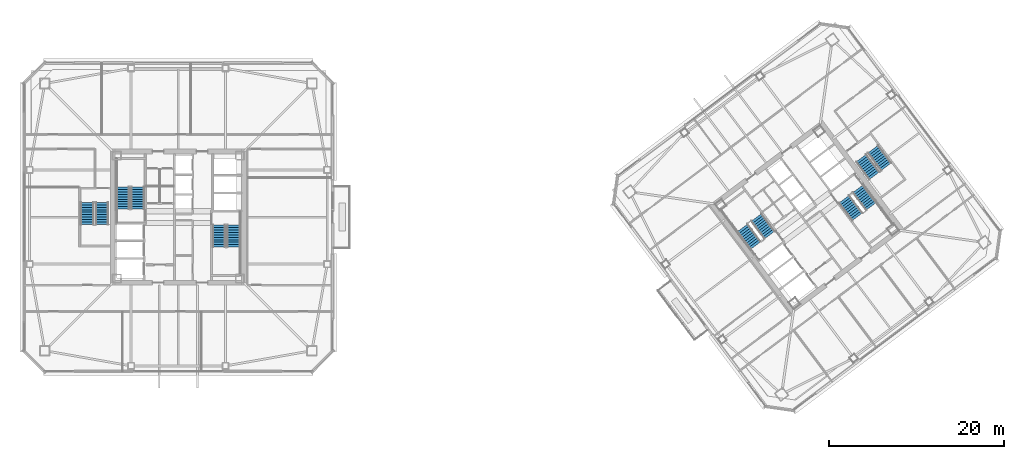
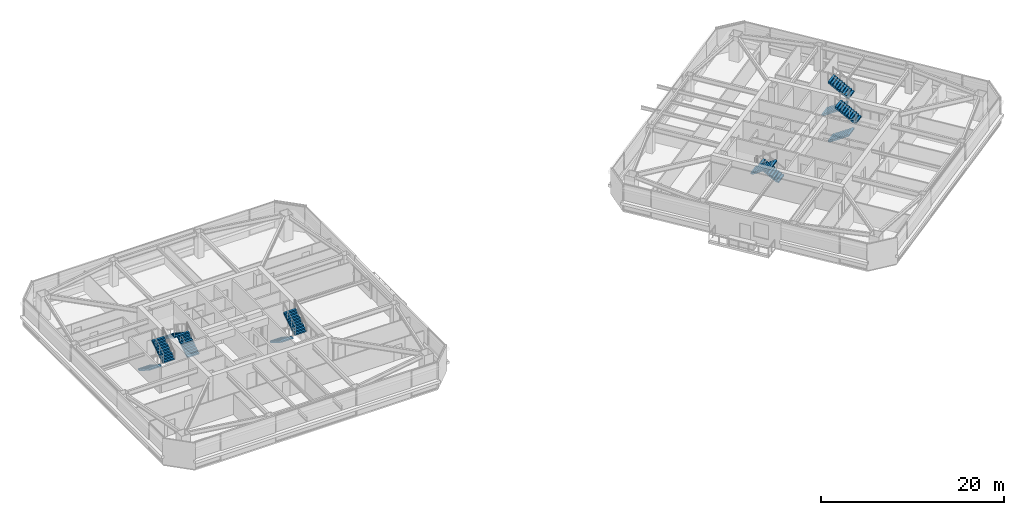
# One storey, part 35 of 41: 12 stair flights, 6 elements without a shape of their own.
"""IFC4 building model written with IfcOpenShell, lengths in metres."""

from ifc_helpers import new_model, si_unit, direction, frame, origin, place, context, subcontext, project, spatial, polyline, outline, extrude, material, type_object, element, aggregate, save


model = new_model("IFC4")

# Units and contexts
model_context = context("Model", 3, precision=1e-05, world=origin(), true_north=direction((0.0, 1.0)))
body_context = subcontext(model_context, "Body", "Model", "MODEL_VIEW")
ifc_project = project(units=[si_unit("LENGTHUNIT", "METRE"), si_unit("AREAUNIT", "SQUARE_METRE"), si_unit("VOLUMEUNIT", "CUBIC_METRE"), si_unit("PLANEANGLEUNIT", "RADIAN"), si_unit("MASSUNIT", "GRAM", prefix="KILO")], contexts=[model_context])

# Site, building, storey
site_placement = place(None, origin())
site = spatial("IfcSite", under=ifc_project, at=site_placement, CompositionType="ELEMENT")
building_placement = place(site_placement, origin())
building = spatial("IfcBuilding", under=site, at=building_placement, Name="Tashvorn Skyway Center", CompositionType="ELEMENT")
storey_placement = place(building_placement, frame((0.0, 0.0, 174.75)))
storey = spatial("IfcBuildingStorey", under=building, at=storey_placement, Name="L47", CompositionType="ELEMENT", Elevation=174.75)

# Stair, stair flights
ifc_material = material(Name="Concrete C40/50", Category="concrete")
stair_type = type_object("IfcStairType", Name="STAIR-CORE-1500", PredefinedType="HALF_TURN_STAIR", material=ifc_material)
stair_1_placement = place(storey_placement, origin())
stair_1 = element("IfcStair", 1, at=stair_1_placement, inside=storey, type_object=stair_type, Name="L47 Tower 1 Exit Stair 1", PredefinedType="HALF_TURN_STAIR")
stair_flight_type = type_object("IfcStairFlightType", Name="SFLIGHT-1500", PredefinedType="STRAIGHT", material=ifc_material)
stair_flight_1_placement = place(storey_placement, frame((37.35009765625, 32.919921875, 0.0), z_axis=(0.0, 0.0, 1.0), x_axis=(0.0, 1.0, 0.0)))
stair_flight_1 = element("IfcStairFlight", 2, at=stair_flight_1_placement, type_object=stair_flight_type, Name="ST-T1-1 flight 1", NumberOfRisers=10, NumberOfTreads=9, PredefinedType="STRAIGHT", RiserHeight=0.1775, TreadLength=0.28, context=body_context, shape_type="SweptSolid", body=[
    extrude(outline(polyline([(0.0, 0.0), (0.0, 0.177490234375), (0.280029296875, 0.177490234375), (0.280029296875, 0.35498046875), (0.56005859375, 0.35498046875), (0.56005859375, 0.532470703125), (0.840087890625, 0.532470703125), (0.840087890625, 0.7099609375), (1.1201171875, 0.7099609375), (1.1201171875, 0.887451171875), (1.39990234375, 0.887451171875), (1.39990234375, 1.06494140625), (1.679931640625, 1.06494140625), (1.679931640625, 1.242431640625), (1.9599609375, 1.242431640625), (1.9599609375, 1.419921875), (2.239990234375, 1.419921875), (2.239990234375, 1.597412109375), (2.52001953125, 1.597412109375), (2.52001953125, 1.77490234375), (2.52001953125, 1.419921875), (0.280029296875, 0.0), (0.0, 0.0)])), frame((0.0, 0.75, 0.0), z_axis=(0.0, -1.0, 0.0), x_axis=(1.0, 0.0, 0.0)), (0.0, 0.0, 1.0), 1.5),
])
stair_flight_2_placement = place(storey_placement, frame((35.64990234375, 35.43994140625, 1.77490234375), z_axis=(0.0, 0.0, 1.0), x_axis=(0.0, -1.0, 0.0)))
stair_flight_2 = element("IfcStairFlight", 3, at=stair_flight_2_placement, type_object=stair_flight_type, Name="ST-T1-1 flight 2", NumberOfRisers=10, NumberOfTreads=9, PredefinedType="STRAIGHT", RiserHeight=0.1775, TreadLength=0.28, context=body_context, shape_type="SweptSolid", body=[
    extrude(outline(polyline([(0.0, 0.0), (0.0, 0.177490234375), (0.280029296875, 0.177490234375), (0.280029296875, 0.35498046875), (0.56005859375, 0.35498046875), (0.56005859375, 0.532470703125), (0.840087890625, 0.532470703125), (0.840087890625, 0.7099609375), (1.1201171875, 0.7099609375), (1.1201171875, 0.887451171875), (1.39990234375, 0.887451171875), (1.39990234375, 1.06494140625), (1.679931640625, 1.06494140625), (1.679931640625, 1.242431640625), (1.9599609375, 1.242431640625), (1.9599609375, 1.419921875), (2.239990234375, 1.419921875), (2.239990234375, 1.597412109375), (2.52001953125, 1.597412109375), (2.52001953125, 1.77490234375), (2.52001953125, 1.419921875), (0.280029296875, 0.0), (0.0, 0.0)])), frame((0.0, 0.75, 0.0), z_axis=(0.0, -1.0, 0.0), x_axis=(1.0, 0.0, 0.0)), (0.0, 0.0, 1.0), 1.5),
])
aggregate(stair_1, [stair_flight_1, stair_flight_2])

stair_2_placement = place(storey_placement, origin())
stair_2 = element("IfcStair", 4, at=stair_2_placement, inside=storey, type_object=stair_type, Name="L47 Tower 1 Exit Stair 2", PredefinedType="HALF_TURN_STAIR")
stair_flight_3_placement = place(storey_placement, frame((46.64990234375, 31.080078125, 0.0), z_axis=(0.0, 0.0, 1.0), x_axis=(0.0, -1.0, 0.0)))
stair_flight_3 = element("IfcStairFlight", 5, at=stair_flight_3_placement, type_object=stair_flight_type, Name="ST-T1-2 flight 1", NumberOfRisers=10, NumberOfTreads=9, PredefinedType="STRAIGHT", RiserHeight=0.1775, TreadLength=0.28, context=body_context, shape_type="SweptSolid", body=[
    extrude(outline(polyline([(0.0, 0.0), (0.0, 0.177490234375), (0.280029296875, 0.177490234375), (0.280029296875, 0.35498046875), (0.56005859375, 0.35498046875), (0.56005859375, 0.532470703125), (0.840087890625, 0.532470703125), (0.840087890625, 0.7099609375), (1.1201171875, 0.7099609375), (1.1201171875, 0.887451171875), (1.39990234375, 0.887451171875), (1.39990234375, 1.06494140625), (1.679931640625, 1.06494140625), (1.679931640625, 1.242431640625), (1.9599609375, 1.242431640625), (1.9599609375, 1.419921875), (2.239990234375, 1.419921875), (2.239990234375, 1.597412109375), (2.52001953125, 1.597412109375), (2.52001953125, 1.77490234375), (2.52001953125, 1.419921875), (0.280029296875, 0.0), (0.0, 0.0)])), frame((0.0, 0.75, 0.0), z_axis=(0.0, -1.0, 0.0), x_axis=(1.0, 0.0, 0.0)), (0.0, 0.0, 1.0), 1.5),
])
stair_flight_4_placement = place(storey_placement, frame((48.35009765625, 28.56005859375, 1.77490234375), z_axis=(0.0, 0.0, 1.0), x_axis=(0.0, 1.0, 0.0)))
stair_flight_4 = element("IfcStairFlight", 6, at=stair_flight_4_placement, type_object=stair_flight_type, Name="ST-T1-2 flight 2", NumberOfRisers=10, NumberOfTreads=9, PredefinedType="STRAIGHT", RiserHeight=0.1775, TreadLength=0.28, context=body_context, shape_type="SweptSolid", body=[
    extrude(outline(polyline([(0.0, 0.0), (0.0, 0.177490234375), (0.280029296875, 0.177490234375), (0.280029296875, 0.35498046875), (0.56005859375, 0.35498046875), (0.56005859375, 0.532470703125), (0.840087890625, 0.532470703125), (0.840087890625, 0.7099609375), (1.1201171875, 0.7099609375), (1.1201171875, 0.887451171875), (1.39990234375, 0.887451171875), (1.39990234375, 1.06494140625), (1.679931640625, 1.06494140625), (1.679931640625, 1.242431640625), (1.9599609375, 1.242431640625), (1.9599609375, 1.419921875), (2.239990234375, 1.419921875), (2.239990234375, 1.597412109375), (2.52001953125, 1.597412109375), (2.52001953125, 1.77490234375), (2.52001953125, 1.419921875), (0.280029296875, 0.0), (0.0, 0.0)])), frame((0.0, 0.75, 0.0), z_axis=(0.0, -1.0, 0.0), x_axis=(1.0, 0.0, 0.0)), (0.0, 0.0, 1.0), 1.5),
])
aggregate(stair_2, [stair_flight_3, stair_flight_4])

stair_3_placement = place(storey_placement, origin())
stair_3 = element("IfcStair", 7, at=stair_3_placement, inside=storey, type_object=stair_type, Name="L47 Tower 2 Exit Stair 1", PredefinedType="HALF_TURN_STAIR")
stair_flight_5_placement = place(storey_placement, frame((109.72802734375, 29.946044921875, 0.0), z_axis=(0.0, 0.0, 1.0), x_axis=(-0.600000004945, 0.799999996291, 0.0)))
stair_flight_5 = element("IfcStairFlight", 8, at=stair_flight_5_placement, type_object=stair_flight_type, Name="ST-T2-1 flight 1", NumberOfRisers=10, NumberOfTreads=9, PredefinedType="STRAIGHT", RiserHeight=0.1775, TreadLength=0.28, context=body_context, shape_type="SweptSolid", body=[
    extrude(outline(polyline([(0.0, 0.0), (0.0, 0.177490234375), (0.280029296875, 0.177490234375), (0.280029296875, 0.35498046875), (0.56005859375, 0.35498046875), (0.56005859375, 0.532470703125), (0.840087890625, 0.532470703125), (0.840087890625, 0.7099609375), (1.1201171875, 0.7099609375), (1.1201171875, 0.887451171875), (1.39990234375, 0.887451171875), (1.39990234375, 1.06494140625), (1.679931640625, 1.06494140625), (1.679931640625, 1.242431640625), (1.9599609375, 1.242431640625), (1.9599609375, 1.419921875), (2.239990234375, 1.419921875), (2.239990234375, 1.597412109375), (2.52001953125, 1.597412109375), (2.52001953125, 1.77490234375), (2.52001953125, 1.419921875), (0.280029296875, 0.0), (0.0, 0.0)])), frame((0.0, 0.75, 0.0), z_axis=(0.0, -1.0, 0.0), x_axis=(1.0, 0.0, 0.0)), (0.0, 0.0, 1.0), 1.5),
])
stair_flight_6_placement = place(storey_placement, frame((106.632080078125, 30.77392578125, 1.77490234375), z_axis=(0.0, 0.0, 1.0), x_axis=(0.600000004945, -0.799999996291, 0.0)))
stair_flight_6 = element("IfcStairFlight", 9, at=stair_flight_6_placement, type_object=stair_flight_type, Name="ST-T2-1 flight 2", NumberOfRisers=10, NumberOfTreads=9, PredefinedType="STRAIGHT", RiserHeight=0.1775, TreadLength=0.28, context=body_context, shape_type="SweptSolid", body=[
    extrude(outline(polyline([(0.0, 0.0), (0.0, 0.177490234375), (0.280029296875, 0.177490234375), (0.280029296875, 0.35498046875), (0.56005859375, 0.35498046875), (0.56005859375, 0.532470703125), (0.840087890625, 0.532470703125), (0.840087890625, 0.7099609375), (1.1201171875, 0.7099609375), (1.1201171875, 0.887451171875), (1.39990234375, 0.887451171875), (1.39990234375, 1.06494140625), (1.679931640625, 1.06494140625), (1.679931640625, 1.242431640625), (1.9599609375, 1.242431640625), (1.9599609375, 1.419921875), (2.239990234375, 1.419921875), (2.239990234375, 1.597412109375), (2.52001953125, 1.597412109375), (2.52001953125, 1.77490234375), (2.52001953125, 1.419921875), (0.280029296875, 0.0), (0.0, 0.0)])), frame((0.0, 0.75, 0.0), z_axis=(0.0, -1.0, 0.0), x_axis=(1.0, 0.0, 0.0)), (0.0, 0.0, 1.0), 1.5),
])
aggregate(stair_3, [stair_flight_5, stair_flight_6])

stair_4_placement = place(storey_placement, origin())
stair_4 = element("IfcStair", 10, at=stair_4_placement, inside=storey, type_object=stair_type, Name="L47 Tower 2 Exit Stair 2", PredefinedType="HALF_TURN_STAIR")
stair_flight_7_placement = place(storey_placement, frame((118.27197265625, 34.053955078125, 0.0), z_axis=(0.0, 0.0, 1.0), x_axis=(0.600000004945, -0.799999996291, 0.0)))
stair_flight_7 = element("IfcStairFlight", 11, at=stair_flight_7_placement, type_object=stair_flight_type, Name="ST-T2-2 flight 1", NumberOfRisers=10, NumberOfTreads=9, PredefinedType="STRAIGHT", RiserHeight=0.1775, TreadLength=0.28, context=body_context, shape_type="SweptSolid", body=[
    extrude(outline(polyline([(0.0, 0.0), (0.0, 0.177490234375), (0.280029296875, 0.177490234375), (0.280029296875, 0.35498046875), (0.56005859375, 0.35498046875), (0.56005859375, 0.532470703125), (0.840087890625, 0.532470703125), (0.840087890625, 0.7099609375), (1.1201171875, 0.7099609375), (1.1201171875, 0.887451171875), (1.39990234375, 0.887451171875), (1.39990234375, 1.06494140625), (1.679931640625, 1.06494140625), (1.679931640625, 1.242431640625), (1.9599609375, 1.242431640625), (1.9599609375, 1.419921875), (2.239990234375, 1.419921875), (2.239990234375, 1.597412109375), (2.52001953125, 1.597412109375), (2.52001953125, 1.77490234375), (2.52001953125, 1.419921875), (0.280029296875, 0.0), (0.0, 0.0)])), frame((0.0, 0.75, 0.0), z_axis=(0.0, -1.0, 0.0), x_axis=(1.0, 0.0, 0.0)), (0.0, 0.0, 1.0), 1.5),
])
stair_flight_8_placement = place(storey_placement, frame((121.367919921875, 33.22607421875, 1.77490234375), z_axis=(0.0, 0.0, 1.0), x_axis=(-0.600000004945, 0.799999996291, 0.0)))
stair_flight_8 = element("IfcStairFlight", 12, at=stair_flight_8_placement, type_object=stair_flight_type, Name="ST-T2-2 flight 2", NumberOfRisers=10, NumberOfTreads=9, PredefinedType="STRAIGHT", RiserHeight=0.1775, TreadLength=0.28, context=body_context, shape_type="SweptSolid", body=[
    extrude(outline(polyline([(0.0, 0.0), (0.0, 0.177490234375), (0.280029296875, 0.177490234375), (0.280029296875, 0.35498046875), (0.56005859375, 0.35498046875), (0.56005859375, 0.532470703125), (0.840087890625, 0.532470703125), (0.840087890625, 0.7099609375), (1.1201171875, 0.7099609375), (1.1201171875, 0.887451171875), (1.39990234375, 0.887451171875), (1.39990234375, 1.06494140625), (1.679931640625, 1.06494140625), (1.679931640625, 1.242431640625), (1.9599609375, 1.242431640625), (1.9599609375, 1.419921875), (2.239990234375, 1.419921875), (2.239990234375, 1.597412109375), (2.52001953125, 1.597412109375), (2.52001953125, 1.77490234375), (2.52001953125, 1.419921875), (0.280029296875, 0.0), (0.0, 0.0)])), frame((0.0, 0.75, 0.0), z_axis=(0.0, -1.0, 0.0), x_axis=(1.0, 0.0, 0.0)), (0.0, 0.0, 1.0), 1.5),
])
aggregate(stair_4, [stair_flight_7, stair_flight_8])

stair_5_placement = place(storey_placement, origin())
stair_5 = element("IfcStair", 13, at=stair_5_placement, inside=storey, type_object=stair_type, Name="L47 Tower 1 Exit Stair 3", PredefinedType="HALF_TURN_STAIR")
stair_flight_9_placement = place(storey_placement, frame((31.550048828125, 33.679931640625, 0.0), z_axis=(0.0, 0.0, 1.0), x_axis=(0.0, -1.0, 0.0)))
stair_flight_9 = element("IfcStairFlight", 14, at=stair_flight_9_placement, type_object=stair_flight_type, Name="ST-T1-3 flight 1", NumberOfRisers=10, NumberOfTreads=9, PredefinedType="STRAIGHT", RiserHeight=0.1775, TreadLength=0.28, context=body_context, shape_type="SweptSolid", body=[
    extrude(outline(polyline([(0.0, 0.0), (0.0, 0.177490234375), (0.280029296875, 0.177490234375), (0.280029296875, 0.35498046875), (0.56005859375, 0.35498046875), (0.56005859375, 0.532470703125), (0.840087890625, 0.532470703125), (0.840087890625, 0.7099609375), (1.1201171875, 0.7099609375), (1.1201171875, 0.887451171875), (1.39990234375, 0.887451171875), (1.39990234375, 1.06494140625), (1.679931640625, 1.06494140625), (1.679931640625, 1.242431640625), (1.9599609375, 1.242431640625), (1.9599609375, 1.419921875), (2.239990234375, 1.419921875), (2.239990234375, 1.597412109375), (2.52001953125, 1.597412109375), (2.52001953125, 1.77490234375), (2.52001953125, 1.419921875), (0.280029296875, 0.0), (0.0, 0.0)])), frame((0.0, 0.75, 0.0), z_axis=(0.0, -1.0, 0.0), x_axis=(1.0, 0.0, 0.0)), (0.0, 0.0, 1.0), 1.5),
])
stair_flight_10_placement = place(storey_placement, frame((33.25, 31.159912109375, 1.77490234375), z_axis=(0.0, 0.0, 1.0), x_axis=(0.0, 1.0, 0.0)))
stair_flight_10 = element("IfcStairFlight", 15, at=stair_flight_10_placement, type_object=stair_flight_type, Name="ST-T1-3 flight 2", NumberOfRisers=10, NumberOfTreads=9, PredefinedType="STRAIGHT", RiserHeight=0.1775, TreadLength=0.28, context=body_context, shape_type="SweptSolid", body=[
    extrude(outline(polyline([(0.0, 0.0), (0.0, 0.177490234375), (0.280029296875, 0.177490234375), (0.280029296875, 0.35498046875), (0.56005859375, 0.35498046875), (0.56005859375, 0.532470703125), (0.840087890625, 0.532470703125), (0.840087890625, 0.7099609375), (1.1201171875, 0.7099609375), (1.1201171875, 0.887451171875), (1.39990234375, 0.887451171875), (1.39990234375, 1.06494140625), (1.679931640625, 1.06494140625), (1.679931640625, 1.242431640625), (1.9599609375, 1.242431640625), (1.9599609375, 1.419921875), (2.239990234375, 1.419921875), (2.239990234375, 1.597412109375), (2.52001953125, 1.597412109375), (2.52001953125, 1.77490234375), (2.52001953125, 1.419921875), (0.280029296875, 0.0), (0.0, 0.0)])), frame((0.0, 0.75, 0.0), z_axis=(0.0, -1.0, 0.0), x_axis=(1.0, 0.0, 0.0)), (0.0, 0.0, 1.0), 1.5),
])
aggregate(stair_5, [stair_flight_9, stair_flight_10])

stair_6_placement = place(storey_placement, origin())
stair_6 = element("IfcStair", 16, at=stair_6_placement, inside=storey, type_object=stair_type, Name="L47 Tower 2 Exit Stair 3", PredefinedType="HALF_TURN_STAIR")
stair_flight_11_placement = place(storey_placement, frame((120.216064453125, 38.761962890625, 0.0), z_axis=(0.0, 0.0, 1.0), x_axis=(0.600000004945, -0.799999996291, 0.0)))
stair_flight_11 = element("IfcStairFlight", 17, at=stair_flight_11_placement, type_object=stair_flight_type, Name="ST-T2-3 flight 1", NumberOfRisers=10, NumberOfTreads=9, PredefinedType="STRAIGHT", RiserHeight=0.1775, TreadLength=0.28, context=body_context, shape_type="SweptSolid", body=[
    extrude(outline(polyline([(0.0, 0.0), (0.0, 0.177490234375), (0.280029296875, 0.177490234375), (0.280029296875, 0.35498046875), (0.56005859375, 0.35498046875), (0.56005859375, 0.532470703125), (0.840087890625, 0.532470703125), (0.840087890625, 0.7099609375), (1.1201171875, 0.7099609375), (1.1201171875, 0.887451171875), (1.39990234375, 0.887451171875), (1.39990234375, 1.06494140625), (1.679931640625, 1.06494140625), (1.679931640625, 1.242431640625), (1.9599609375, 1.242431640625), (1.9599609375, 1.419921875), (2.239990234375, 1.419921875), (2.239990234375, 1.597412109375), (2.52001953125, 1.597412109375), (2.52001953125, 1.77490234375), (2.52001953125, 1.419921875), (0.280029296875, 0.0), (0.0, 0.0)])), frame((0.0, 0.75, 0.0), z_axis=(0.0, -1.0, 0.0), x_axis=(1.0, 0.0, 0.0)), (0.0, 0.0, 1.0), 1.5),
])
stair_flight_12_placement = place(storey_placement, frame((123.087890625, 37.76611328125, 1.77490234375), z_axis=(0.0, 0.0, 1.0), x_axis=(-0.600000004945, 0.799999996291, 0.0)))
stair_flight_12 = element("IfcStairFlight", 18, at=stair_flight_12_placement, type_object=stair_flight_type, Name="ST-T2-3 flight 2", NumberOfRisers=10, NumberOfTreads=9, PredefinedType="STRAIGHT", RiserHeight=0.1775, TreadLength=0.28, context=body_context, shape_type="SweptSolid", body=[
    extrude(outline(polyline([(0.0, 0.0), (0.0, 0.177490234375), (0.280029296875, 0.177490234375), (0.280029296875, 0.35498046875), (0.56005859375, 0.35498046875), (0.56005859375, 0.532470703125), (0.840087890625, 0.532470703125), (0.840087890625, 0.7099609375), (1.1201171875, 0.7099609375), (1.1201171875, 0.887451171875), (1.39990234375, 0.887451171875), (1.39990234375, 1.06494140625), (1.679931640625, 1.06494140625), (1.679931640625, 1.242431640625), (1.9599609375, 1.242431640625), (1.9599609375, 1.419921875), (2.239990234375, 1.419921875), (2.239990234375, 1.597412109375), (2.52001953125, 1.597412109375), (2.52001953125, 1.77490234375), (2.52001953125, 1.419921875), (0.280029296875, 0.0), (0.0, 0.0)])), frame((0.0, 0.75, 0.0), z_axis=(0.0, -1.0, 0.0), x_axis=(1.0, 0.0, 0.0)), (0.0, 0.0, 1.0), 1.5),
])
aggregate(stair_6, [stair_flight_11, stair_flight_12])

save(model, "model.ifc")
